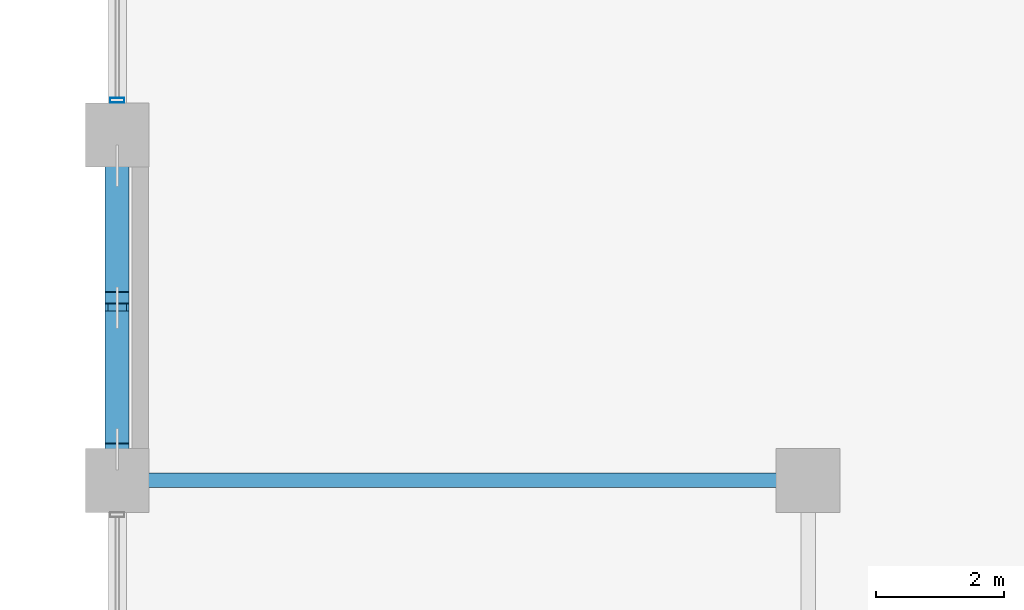
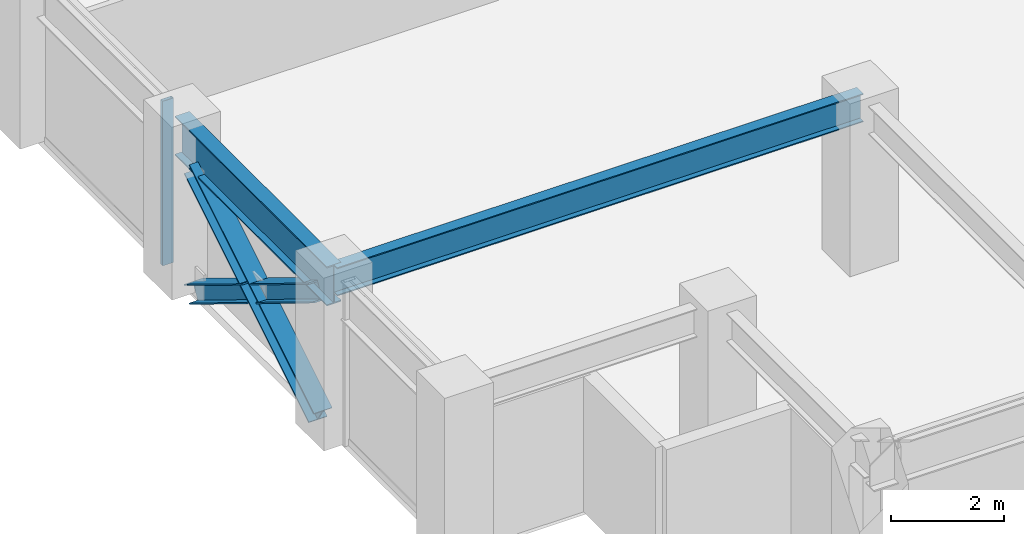
# One storey, part 3 of 26: 4 members, 2 beams, 1 element without a shape of its own.
"""IFC4 building model written with IfcOpenShell, lengths in metres."""

from ifc_helpers import new_model, si_unit, direction, frame, origin, origin_2d, place, context, subcontext, project, spatial, hollow_rectangle, i_section, extrude, material, layer, layer_set, material_profile, profile_set, type_object, element, aggregate, save


model = new_model("IFC4")

# Units and contexts
model_context = context("Model", 3, precision=1e-05, world=origin(), true_north=direction((0.0, 1.0)))
body_context = subcontext(model_context, "Body", "Model", "MODEL_VIEW")
ifc_project = project(units=[si_unit("LENGTHUNIT", "METRE"), si_unit("AREAUNIT", "SQUARE_METRE"), si_unit("VOLUMEUNIT", "CUBIC_METRE"), si_unit("PLANEANGLEUNIT", "RADIAN"), si_unit("MASSUNIT", "GRAM", prefix="KILO")], contexts=[model_context])

# Site, building, storey
site_placement = place(None, origin())
site = spatial("IfcSite", under=ifc_project, at=site_placement, CompositionType="ELEMENT")
building_placement = place(site_placement, origin())
building = spatial("IfcBuilding", under=site, at=building_placement, Name="Surkhivell Harbour Commons", CompositionType="ELEMENT")
storey_placement = place(building_placement, frame((0.0, 0.0, 147.0)))
storey = spatial("IfcBuildingStorey", under=building, at=storey_placement, Name="L38", CompositionType="ELEMENT", Elevation=147.0)

# Beams
ifc_material_1 = material(Name="Steel S355", Category="steel")
ifc_material_profile_1 = material_profile(ifc_material_1, i_section(OverallWidth=0.22998046875, OverallDepth=0.616943359375, WebThickness=0.01318359375, FlangeThickness=0.022216796875, at=origin_2d()), Name="UB610x229x140")
ifc_profile_set_1 = profile_set([ifc_material_profile_1], Name="Steel S355")
beam_type_1 = type_object("IfcBeamType", Name="BM-GRD-610B", PredefinedType="BEAM", material=ifc_profile_set_1)
beam_1_placement = place(storey_placement, frame((-32.39990234375, -16.199951171875, 3.261474609375), z_axis=(1.0, 0.0, 0.0), x_axis=(0.0, 1.0, 0.0)))
element("IfcBeam", 1, at=beam_1_placement, inside=storey, type_object=beam_type_1, Name="L38 Floor Girder (-32.4,-16.2)", PredefinedType="BEAM", context=body_context, shape_type="SweptSolid", body=[
    extrude(i_section(OverallWidth=0.22998046875, OverallDepth=0.616943359375, WebThickness=0.01318359375, FlangeThickness=0.022216796875, at=origin_2d()), origin(), (0.0, 0.0, 1.0), 10.7998046875),
])
ifc_material_2 = material(Name="Steel S460", Category="steel")
ifc_material_profile_2 = material_profile(ifc_material_2, i_section(OverallWidth=0.2939453125, OverallDepth=0.85107421875, WebThickness=0.01611328125, FlangeThickness=0.02685546875, at=origin_2d()), Name="UB838x292x226")
ifc_profile_set_2 = profile_set([ifc_material_profile_2], Name="Steel S460")
beam_type_2 = type_object("IfcBeamType", Name="BM-SPN-838", PredefinedType="SPANDREL", material=ifc_profile_set_2)
beam_2_placement = place(storey_placement, frame((-32.39990234375, -16.199951171875, 3.14453125), z_axis=(0.0, 1.0, 0.0), x_axis=(-1.0, 0.0, 0.0)))
element("IfcBeam", 2, at=beam_2_placement, inside=storey, type_object=beam_type_2, Name="L38 Tube Spandrel (-32.4,-16.2)", PredefinedType="SPANDREL", context=body_context, shape_type="SweptSolid", body=[
    extrude(i_section(OverallWidth=0.2939453125, OverallDepth=0.85107421875, WebThickness=0.01611328125, FlangeThickness=0.02685546875, at=origin_2d()), origin(), (0.0, 0.0, 1.0), 5.39990234375),
])

# Curtain wall, member
ifc_material_3 = material(Name="Anodised pale-metal aluminium and insulated glazing", Category="aluminium")
ifc_layer = layer(ifc_material_3, 0.205078125)
ifc_layer_set = layer_set([ifc_layer], Name="Anodised pale-metal aluminium and insulated glazing")
curtain_wall_type = type_object("IfcCurtainWallType", Name="CW-SYS-Z2", PredefinedType="NOTDEFINED", material=ifc_layer_set)
curtain_wall_placement = place(storey_placement, origin())
curtain_wall = element("IfcCurtainWall", 3, at=curtain_wall_placement, inside=storey, type_object=curtain_wall_type, Name="L38 Curtain Wall CW-L38-E12R1S2", PredefinedType="NOTDEFINED")
ifc_material_4 = material(Name="Anodised pale-metal aluminium alloy 6063-T6", Category="aluminium")
ifc_material_profile_3 = material_profile(ifc_material_4, hollow_rectangle(XDim=0.074951171875, YDim=0.219970703125, WallThickness=0.00390625, at=origin_2d()), Name="ALU-MULL-75x220")
ifc_profile_set_3 = profile_set([ifc_material_profile_3], Name="Anodised pale-metal aluminium alloy 6063-T6")
member_type_1 = type_object("IfcMemberType", Name="CWM-220", PredefinedType="MULLION", material=ifc_profile_set_3)
member_1_placement = place(storey_placement, frame((-32.39990234375, -10.260498046875, 0.0), z_axis=(0.0, 0.0, 1.0), x_axis=(0.0, 1.0, 0.0)))
member_1 = element("IfcMember", 4, at=member_1_placement, type_object=member_type_1, Name="CW-Z2 mullion 1", PredefinedType="MULLION", context=body_context, shape_type="SweptSolid", body=[
    extrude(hollow_rectangle(XDim=0.074951171875, YDim=0.219970703125, WallThickness=0.00390625, at=origin_2d()), origin(), (0.0, 0.0, 1.0), 3.570068359375),
])
aggregate(curtain_wall, [member_1])

# Members
ifc_material_profile_4 = material_profile(ifc_material_2, i_section(OverallWidth=0.375, OverallDepth=0.375, WebThickness=0.0166015625, FlangeThickness=0.027099609375, at=origin_2d()), Name="UC356x368x202")
ifc_profile_set_4 = profile_set([ifc_material_profile_4], Name="Steel S460")
member_type_2 = type_object("IfcMemberType", Name="MEM-BRC-UC356", PredefinedType="BRACE", material=ifc_profile_set_4)
member_2_placement = place(storey_placement, frame((-32.39990234375, -15.715087890625, 0.008056640625), z_axis=(0.0, 0.852637717293, 0.522502557936), x_axis=(-1.0, 0.0, 0.0)))
element("IfcMember", 5, at=member_2_placement, inside=storey, type_object=member_type_2, Name="L38 Perimeter Mega-Brace MB- 10", PredefinedType="BRACE", context=body_context, shape_type="SweptSolid", body=[
    extrude(i_section(OverallWidth=0.375, OverallDepth=0.375, WebThickness=0.0166015625, FlangeThickness=0.027099609375, at=origin_2d()), origin(), (0.0, 0.0, 1.0), 5.19580078125),
])
member_3_placement = place(storey_placement, frame((-32.39990234375, -11.284912109375, 0.008056640625), z_axis=(0.0, -0.852617215241, 0.52253601242), x_axis=(1.0, 0.0, 0.0)))
element("IfcMember", 6, at=member_3_placement, inside=storey, type_object=member_type_2, Name="L38 Perimeter Mega-Brace MB- 11", PredefinedType="BRACE", context=body_context, shape_type="SweptSolid", body=[
    extrude(i_section(OverallWidth=0.375, OverallDepth=0.375, WebThickness=0.0166015625, FlangeThickness=0.027099609375, at=origin_2d()), origin(), (0.0, 0.0, 1.0), 2.41796875),
])
member_4_placement = place(storey_placement, frame((-32.39990234375, -13.653564453125, 1.459716796875), z_axis=(0.0, -0.852662200332, 0.522462603567), x_axis=(1.0, 0.0, 0.0)))
element("IfcMember", 7, at=member_4_placement, inside=storey, type_object=member_type_2, Name="L38 Perimeter Mega-Brace MB- 12", PredefinedType="BRACE", context=body_context, shape_type="SweptSolid", body=[
    extrude(i_section(OverallWidth=0.375, OverallDepth=0.375, WebThickness=0.0166015625, FlangeThickness=0.027099609375, at=origin_2d()), origin(), (0.0, 0.0, 1.0), 2.417724609375),
])

save(model, "model.ifc")
